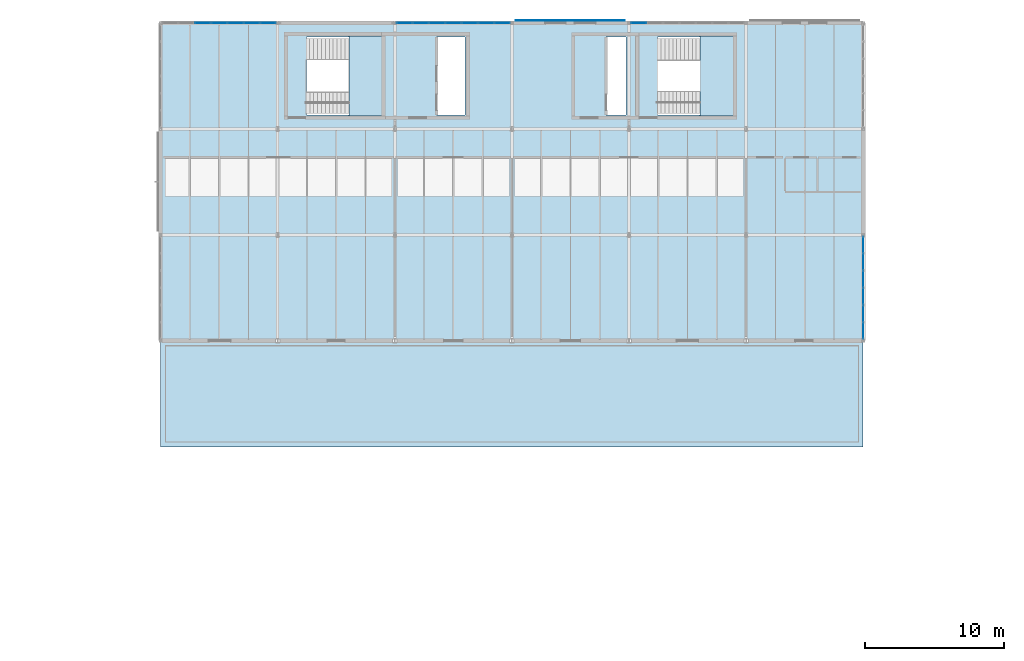
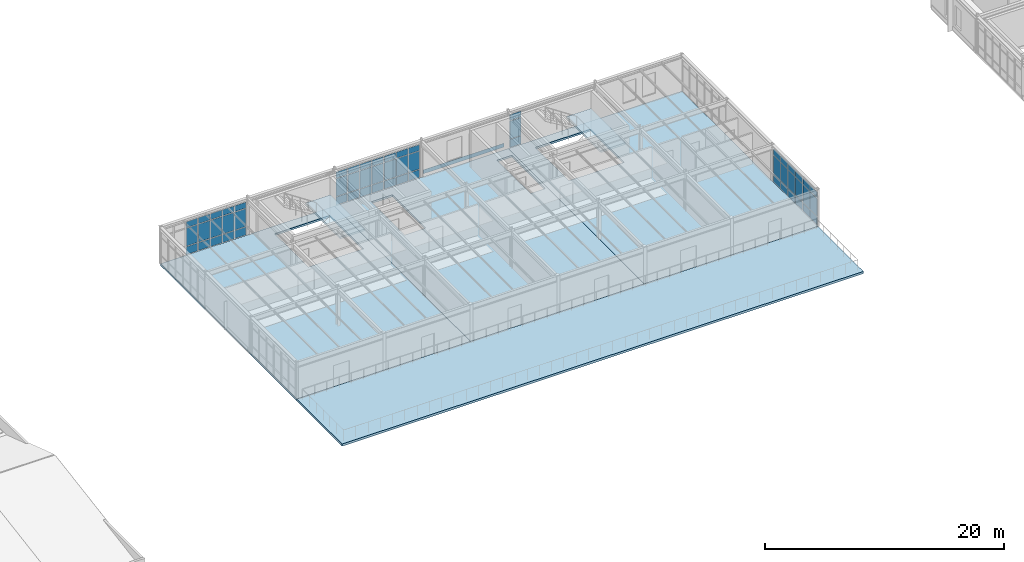
# One storey, part 42 of 65: 58 plates, 6 slabs, 6 elements without a shape of their own.
"""IFC4 building model written with IfcOpenShell, lengths in metres."""

import ifcopenshell
import ifcopenshell.guid

model = None  # the IFC model being written
_history = None  # IfcOwnerHistory: only IFC2X3 demands one
_inside = {}  # id of a spatial element -> (the spatial element, [elements in it])
_under = {}  # id of a project, library or spatial element -> (it, [spatial elements below it])
_declared = {}  # id of a project -> (the project, [libraries it declares])
_typed = {}  # id of a type object -> (the type object, [elements of that type])
_made_of = {}  # id of a material, layer set ... -> (it, [elements and type objects made of it])


def new_model(schema):
    """Start an empty IFC model of exactly this schema.

    Asked for "IFC4X3", IfcOpenShell would pick the latest addendum, in which some entities
    have other attributes; the version numbers below select the first issue.
    IFC2X3 requires an IfcOwnerHistory on every rooted entity: one is made here for all.
    """
    global model, _history
    if schema == "IFC4X3":
        model = ifcopenshell.file(schema_version=(4, 3, 0, 0))
    else:
        model = ifcopenshell.file(schema=schema)
    _inside.clear()
    _under.clear()
    _declared.clear()
    _typed.clear()
    _made_of.clear()
    _history = None
    if model.schema == "IFC2X3":
        org = make("IfcOrganization", Name="unknown")
        user = make(
            "IfcPersonAndOrganization",
            ThePerson=make("IfcPerson", FamilyName="unknown"),
            TheOrganization=org,
        )
        app = make(
            "IfcApplication",
            ApplicationDeveloper=org,
            Version="unknown",
            ApplicationFullName="unknown",
            ApplicationIdentifier="unknown",
        )
        _history = make(
            "IfcOwnerHistory",
            OwningUser=user,
            OwningApplication=app,
            ChangeAction="ADDED",
            CreationDate=0,
        )
    return model


def make(cls, **values):
    """One entity of the class cls with the attributes given. An attribute that is None is left unset."""
    return model.create_entity(
        cls, **{name: value for name, value in values.items() if value is not None}
    )


def rooted(cls, **values):
    """An entity with a GlobalId (a new one), such as an element, a storey or a relation."""
    return make(cls, GlobalId=ifcopenshell.guid.new(), OwnerHistory=_history, **values)


def si_unit(unit_type, name, prefix=None):
    """IfcSIUnit, for example si_unit("LENGTHUNIT", "METRE", prefix="MILLI")."""
    return make("IfcSIUnit", UnitType=unit_type, Prefix=prefix, Name=name)


def assignment(units):
    """IfcUnitAssignment: the units of a project."""
    return None if units is None else make("IfcUnitAssignment", Units=units)


def point(xyz):
    """IfcCartesianPoint."""
    return None if xyz is None else make("IfcCartesianPoint", Coordinates=xyz)


def direction(xyz):
    """IfcDirection."""
    return None if xyz is None else make("IfcDirection", DirectionRatios=xyz)


def frame(location, z_axis=None, x_axis=None):
    """IfcAxis2Placement3D, a coordinate frame: its origin and axes. An axis left out is left unset."""
    return make(
        "IfcAxis2Placement3D",
        Location=point(location),
        Axis=direction(z_axis),
        RefDirection=direction(x_axis),
    )


def frame_2d(location, x_axis=None):
    """IfcAxis2Placement2D, a coordinate frame in the plane: its origin and x axis."""
    return make(
        "IfcAxis2Placement2D", Location=point(location), RefDirection=direction(x_axis)
    )


def origin():
    """The frame at (0, 0, 0) with its axes left unset."""
    return frame((0.0, 0.0, 0.0))


def origin_2d():
    """The frame at (0, 0) in the plane with its x axis left unset."""
    return frame_2d((0.0, 0.0))


def place(relative_to, where):
    """IfcLocalPlacement: puts the frame where relative to a parent placement (None: the world)."""
    return make(
        "IfcLocalPlacement", PlacementRelTo=relative_to, RelativePlacement=where
    )


def context(
    kind, dimensions, precision=None, world=None, true_north=None, identifier=None
):
    """IfcGeometricRepresentationContext, for example the 3D "Model" context."""
    return make(
        "IfcGeometricRepresentationContext",
        ContextIdentifier=identifier,
        ContextType=kind,
        CoordinateSpaceDimension=dimensions,
        Precision=precision,
        WorldCoordinateSystem=world,
        TrueNorth=true_north,
    )


def subcontext(parent, identifier, kind, view, scale=None):
    """IfcGeometricRepresentationSubContext, for example "Body" below "Model"."""
    return make(
        "IfcGeometricRepresentationSubContext",
        ContextIdentifier=identifier,
        ContextType=kind,
        ParentContext=parent,
        TargetScale=scale,
        TargetView=view,
    )


def project(units=None, contexts=None):
    """IfcProject with its units and contexts."""
    return rooted(
        "IfcProject",
        Name="project",
        RepresentationContexts=contexts,
        UnitsInContext=assignment(units),
    )


def spatial(cls, under=None, at=None, **own):
    """A site, building, storey or space (cls), placed at a placement, below another one or the project."""
    s = rooted(cls, ObjectPlacement=at, **own)
    if under is not None:
        _under.setdefault(under.id(), (under, []))[1].append(s)
    return s


def polyline(points):
    """IfcPolyline through the points."""
    return make("IfcPolyline", Points=[point(p) for p in points])


def profile(cls, at=None, kind="AREA", **sizes):
    """A parametric profile (cls). Its sizes go by their IFC names, for example OverallWidth=200.0."""
    return make(cls, ProfileType=kind, Position=at, **sizes)


def rectangle(**sizes):
    """IfcRectangleProfileDef."""
    return profile("IfcRectangleProfileDef", **sizes)


def outline(outer, holes=None, kind="AREA"):
    """IfcArbitraryClosedProfileDef: a profile drawn as a closed curve; with holes, ...WithVoids."""
    if holes is None:
        return make("IfcArbitraryClosedProfileDef", ProfileType=kind, OuterCurve=outer)
    return make(
        "IfcArbitraryProfileDefWithVoids",
        ProfileType=kind,
        OuterCurve=outer,
        InnerCurves=holes,
    )


def extrude(swept, where, along, depth):
    """IfcExtrudedAreaSolid: the profile swept, set in the frame where, extruded along a direction by depth."""
    return make(
        "IfcExtrudedAreaSolid",
        SweptArea=swept,
        Position=where,
        ExtrudedDirection=direction(along),
        Depth=depth,
    )


def shape(context_of_items, identifier, shape_type, items):
    """IfcShapeRepresentation: the items that make up one representation, for example the "Body"."""
    return make(
        "IfcShapeRepresentation",
        ContextOfItems=context_of_items,
        RepresentationIdentifier=identifier,
        RepresentationType=shape_type,
        Items=items,
    )


def material(Name=None, Category=None):
    """IfcMaterial."""
    return make("IfcMaterial", Name=Name, Category=Category)


def layer(
    of_material, thickness, ventilated=None, Name=None, Category=None, Priority=None
):
    """IfcMaterialLayer: one layer of a wall or slab, of a material (None: an air gap)."""
    return make(
        "IfcMaterialLayer",
        Material=of_material,
        LayerThickness=thickness,
        IsVentilated=ventilated,
        Name=Name,
        Category=Category,
        Priority=Priority,
    )


def layer_set(layers, Name=None):
    """IfcMaterialLayerSet."""
    return make("IfcMaterialLayerSet", MaterialLayers=layers, LayerSetName=Name)


def made_of(thing, what):
    """Note that an element or type object is made of a material, layer set ...; save() writes the relation."""
    if what is not None:
        _made_of.setdefault(what.id(), (what, []))[1].append(thing)
    return thing


def type_object(cls, material=None, **own):
    """A type object (cls), such as IfcWallType, which elements share."""
    return made_of(rooted(cls, **own), material)


def element(
    cls,
    number,
    at=None,
    inside=None,
    cuts=None,
    type_object=None,
    material=None,
    context=None,
    identifier="Body",
    shape_type=None,
    held_by="IfcProductDefinitionShape",
    body=None,
    shapes=None,
    **own,
):
    """One element of the class cls, such as IfcWall. Its Tag is "e" and its number.

    at: its placement. inside: the storey or other place that contains it. cuts: it is an
    opening in that element (IfcRelVoidsElement). A single representation is given by context,
    identifier, shape_type and body (its items); several are given by shapes. held_by: the class
    of the entity that holds the representations. save() writes the other relations.
    """
    e = rooted(cls, Tag="e%d" % number, ObjectPlacement=at, **own)
    if body is not None:
        shapes = [shape(context, identifier, shape_type, body)]
    if shapes is not None:
        e.Representation = make(held_by, Representations=shapes)
    if inside is not None:
        _inside.setdefault(inside.id(), (inside, []))[1].append(e)
    if cuts is not None:
        rooted(
            "IfcRelVoidsElement", RelatingBuildingElement=cuts, RelatedOpeningElement=e
        )
    if type_object is not None:
        _typed.setdefault(type_object.id(), (type_object, []))[1].append(e)
    return made_of(e, material)


def aggregate(whole, parts):
    """IfcRelAggregates: a whole, such as a stair, and the parts it consists of."""
    return rooted("IfcRelAggregates", RelatingObject=whole, RelatedObjects=parts)


def save(model, path):
    """Write the relations noted so far, then the file.

    IfcRelAggregates (storeys below a building ...), IfcRelContainedInSpatialStructure (elements
    in a storey), IfcRelDefinesByType, IfcRelAssociatesMaterial and IfcRelDeclares: one each for
    every whole, place, type object, material and project.
    """
    for whole, parts in _under.values():
        aggregate(whole, parts)
    for where, things in _inside.values():
        rooted(
            "IfcRelContainedInSpatialStructure",
            RelatedElements=things,
            RelatingStructure=where,
        )
    for kind, things in _typed.values():
        rooted("IfcRelDefinesByType", RelatedObjects=things, RelatingType=kind)
    for what, things in _made_of.values():
        rooted("IfcRelAssociatesMaterial", RelatedObjects=things, RelatingMaterial=what)
    for by, libraries in _declared.values():
        rooted("IfcRelDeclares", RelatingContext=by, RelatedDefinitions=libraries)
    model.write(path)


model = new_model("IFC4")

# Units and contexts
model_context = context("Model", 3, precision=1e-05, world=origin(), true_north=direction((0.0, 1.0)))
body_context = subcontext(model_context, "Body", "Model", "MODEL_VIEW")
ifc_project = project(units=[si_unit("LENGTHUNIT", "METRE"), si_unit("AREAUNIT", "SQUARE_METRE"), si_unit("VOLUMEUNIT", "CUBIC_METRE"), si_unit("PLANEANGLEUNIT", "RADIAN"), si_unit("MASSUNIT", "GRAM", prefix="KILO")], contexts=[model_context])

# Site, building, storey
site_placement = place(None, origin())
site = spatial("IfcSite", under=ifc_project, at=site_placement, CompositionType="ELEMENT")
building_placement = place(site_placement, origin())
building = spatial("IfcBuilding", under=site, at=building_placement, Name="Montecoro Central Library", CompositionType="ELEMENT")
storey_placement = place(building_placement, frame((0.0, 0.0, 17.340087890625)))
storey = spatial("IfcBuildingStorey", under=building, at=storey_placement, Name="L04", CompositionType="ELEMENT", Elevation=17.340087890625)

# Curtain wall, plates
ifc_material_1 = material(Name="Bronze-anodised aluminium and low-E glazing", Category="aluminium")
ifc_layer_1 = layer(ifc_material_1, 0.159912109375)
ifc_layer_set_1 = layer_set([ifc_layer_1], Name="Bronze-anodised aluminium and low-E glazing")
curtain_wall_type_1 = type_object("IfcCurtainWallType", Name="CWT-021", PredefinedType="NOTDEFINED", material=ifc_layer_set_1)
curtain_wall_1_placement = place(storey_placement, origin())
curtain_wall_1 = element("IfcCurtainWall", 1, at=curtain_wall_1_placement, inside=storey, type_object=curtain_wall_type_1, Name="V2-L04-CW-E0", PredefinedType="NOTDEFINED")
ifc_material_2 = material(Name="Laminated low-E double glazing", Category="glass")
ifc_layer_2 = layer(ifc_material_2, 0.02587890625)
ifc_layer_set_2 = layer_set([ifc_layer_2], Name="Laminated low-E double glazing")
plate_type_1 = type_object("IfcPlateType", Name="CWP-GLZ-01", PredefinedType="CURTAIN_PANEL", material=ifc_layer_set_2)
plate_1_placement = place(storey_placement, frame((116.800048828125, 96.92578125, 0.059814453125), z_axis=(0.0, 0.0, 1.0), x_axis=(0.0, 1.0, 0.0)))
plate_1 = element("IfcPlate", 2, at=plate_1_placement, type_object=plate_type_1, Name="CW-021 panel 1.1", PredefinedType="CURTAIN_PANEL", context=body_context, shape_type="SweptSolid", body=[
    extrude(rectangle(XDim=1.145751953125, YDim=0.02587890625, at=origin_2d()), origin(), (0.0, 0.0, 1.0), 0.81005859375),
])
plate_2_placement = place(storey_placement, frame((116.800048828125, 96.92578125, 0.9296875), z_axis=(0.0, 0.0, 1.0), x_axis=(0.0, 1.0, 0.0)))
plate_2 = element("IfcPlate", 3, at=plate_2_placement, type_object=plate_type_1, Name="CW-021 panel 1.2", PredefinedType="CURTAIN_PANEL", context=body_context, shape_type="SweptSolid", body=[
    extrude(rectangle(XDim=1.145751953125, YDim=0.02587890625, at=origin_2d()), origin(), (0.0, 0.0, 1.0), 1.820068359375),
])
plate_3_placement = place(storey_placement, frame((116.800048828125, 96.92578125, 2.81005859375), z_axis=(0.0, 0.0, 1.0), x_axis=(0.0, 1.0, 0.0)))
plate_3 = element("IfcPlate", 4, at=plate_3_placement, type_object=plate_type_1, Name="CW-021 panel 1.3", PredefinedType="CURTAIN_PANEL", context=body_context, shape_type="SweptSolid", body=[
    extrude(rectangle(XDim=1.145751953125, YDim=0.02587890625, at=origin_2d()), origin(), (0.0, 0.0, 1.0), 0.610107421875),
])
plate_4_placement = place(storey_placement, frame((116.800048828125, 98.146484375, 0.059814453125), z_axis=(0.0, 0.0, 1.0), x_axis=(0.0, 1.0, 0.0)))
plate_4 = element("IfcPlate", 5, at=plate_4_placement, type_object=plate_type_1, Name="CW-021 panel 2.1", PredefinedType="CURTAIN_PANEL", context=body_context, shape_type="SweptSolid", body=[
    extrude(rectangle(XDim=1.17578125, YDim=0.02587890625, at=origin_2d()), origin(), (0.0, 0.0, 1.0), 0.81005859375),
])
plate_5_placement = place(storey_placement, frame((116.800048828125, 98.146484375, 0.9296875), z_axis=(0.0, 0.0, 1.0), x_axis=(0.0, 1.0, 0.0)))
plate_5 = element("IfcPlate", 6, at=plate_5_placement, type_object=plate_type_1, Name="CW-021 panel 2.2", PredefinedType="CURTAIN_PANEL", context=body_context, shape_type="SweptSolid", body=[
    extrude(rectangle(XDim=1.17578125, YDim=0.02587890625, at=origin_2d()), origin(), (0.0, 0.0, 1.0), 1.820068359375),
])
plate_6_placement = place(storey_placement, frame((116.800048828125, 98.146484375, 2.81005859375), z_axis=(0.0, 0.0, 1.0), x_axis=(0.0, 1.0, 0.0)))
plate_6 = element("IfcPlate", 7, at=plate_6_placement, type_object=plate_type_1, Name="CW-021 panel 2.3", PredefinedType="CURTAIN_PANEL", context=body_context, shape_type="SweptSolid", body=[
    extrude(rectangle(XDim=1.17578125, YDim=0.02587890625, at=origin_2d()), origin(), (0.0, 0.0, 1.0), 0.610107421875),
])
plate_7_placement = place(storey_placement, frame((116.800048828125, 99.382080078125, 0.059814453125), z_axis=(0.0, 0.0, 1.0), x_axis=(0.0, 1.0, 0.0)))
plate_7 = element("IfcPlate", 8, at=plate_7_placement, type_object=plate_type_1, Name="CW-021 panel 3.1", PredefinedType="CURTAIN_PANEL", context=body_context, shape_type="SweptSolid", body=[
    extrude(rectangle(XDim=1.17578125, YDim=0.02587890625, at=origin_2d()), origin(), (0.0, 0.0, 1.0), 0.81005859375),
])
plate_8_placement = place(storey_placement, frame((116.800048828125, 99.382080078125, 0.9296875), z_axis=(0.0, 0.0, 1.0), x_axis=(0.0, 1.0, 0.0)))
plate_8 = element("IfcPlate", 9, at=plate_8_placement, type_object=plate_type_1, Name="CW-021 panel 3.2", PredefinedType="CURTAIN_PANEL", context=body_context, shape_type="SweptSolid", body=[
    extrude(rectangle(XDim=1.17578125, YDim=0.02587890625, at=origin_2d()), origin(), (0.0, 0.0, 1.0), 1.820068359375),
])
plate_9_placement = place(storey_placement, frame((116.800048828125, 99.382080078125, 2.81005859375), z_axis=(0.0, 0.0, 1.0), x_axis=(0.0, 1.0, 0.0)))
plate_9 = element("IfcPlate", 10, at=plate_9_placement, type_object=plate_type_1, Name="CW-021 panel 3.3", PredefinedType="CURTAIN_PANEL", context=body_context, shape_type="SweptSolid", body=[
    extrude(rectangle(XDim=1.17578125, YDim=0.02587890625, at=origin_2d()), origin(), (0.0, 0.0, 1.0), 0.610107421875),
])
plate_10_placement = place(storey_placement, frame((116.800048828125, 100.617919921875, 0.059814453125), z_axis=(0.0, 0.0, 1.0), x_axis=(0.0, 1.0, 0.0)))
plate_10 = element("IfcPlate", 11, at=plate_10_placement, type_object=plate_type_1, Name="CW-021 panel 4.1", PredefinedType="CURTAIN_PANEL", context=body_context, shape_type="SweptSolid", body=[
    extrude(rectangle(XDim=1.17578125, YDim=0.02587890625, at=origin_2d()), origin(), (0.0, 0.0, 1.0), 0.81005859375),
])
plate_11_placement = place(storey_placement, frame((116.800048828125, 100.617919921875, 0.9296875), z_axis=(0.0, 0.0, 1.0), x_axis=(0.0, 1.0, 0.0)))
plate_11 = element("IfcPlate", 12, at=plate_11_placement, type_object=plate_type_1, Name="CW-021 panel 4.2", PredefinedType="CURTAIN_PANEL", context=body_context, shape_type="SweptSolid", body=[
    extrude(rectangle(XDim=1.17578125, YDim=0.02587890625, at=origin_2d()), origin(), (0.0, 0.0, 1.0), 1.820068359375),
])
plate_12_placement = place(storey_placement, frame((116.800048828125, 100.617919921875, 2.81005859375), z_axis=(0.0, 0.0, 1.0), x_axis=(0.0, 1.0, 0.0)))
plate_12 = element("IfcPlate", 13, at=plate_12_placement, type_object=plate_type_1, Name="CW-021 panel 4.3", PredefinedType="CURTAIN_PANEL", context=body_context, shape_type="SweptSolid", body=[
    extrude(rectangle(XDim=1.17578125, YDim=0.02587890625, at=origin_2d()), origin(), (0.0, 0.0, 1.0), 0.610107421875),
])
plate_13_placement = place(storey_placement, frame((116.800048828125, 101.853515625, 0.059814453125), z_axis=(0.0, 0.0, 1.0), x_axis=(0.0, 1.0, 0.0)))
plate_13 = element("IfcPlate", 14, at=plate_13_placement, type_object=plate_type_1, Name="CW-021 panel 5.1", PredefinedType="CURTAIN_PANEL", context=body_context, shape_type="SweptSolid", body=[
    extrude(rectangle(XDim=1.17578125, YDim=0.02587890625, at=origin_2d()), origin(), (0.0, 0.0, 1.0), 0.81005859375),
])
plate_14_placement = place(storey_placement, frame((116.800048828125, 101.853515625, 0.9296875), z_axis=(0.0, 0.0, 1.0), x_axis=(0.0, 1.0, 0.0)))
plate_14 = element("IfcPlate", 15, at=plate_14_placement, type_object=plate_type_1, Name="CW-021 panel 5.2", PredefinedType="CURTAIN_PANEL", context=body_context, shape_type="SweptSolid", body=[
    extrude(rectangle(XDim=1.17578125, YDim=0.02587890625, at=origin_2d()), origin(), (0.0, 0.0, 1.0), 1.820068359375),
])
plate_15_placement = place(storey_placement, frame((116.800048828125, 101.853515625, 2.81005859375), z_axis=(0.0, 0.0, 1.0), x_axis=(0.0, 1.0, 0.0)))
plate_15 = element("IfcPlate", 16, at=plate_15_placement, type_object=plate_type_1, Name="CW-021 panel 5.3", PredefinedType="CURTAIN_PANEL", context=body_context, shape_type="SweptSolid", body=[
    extrude(rectangle(XDim=1.17578125, YDim=0.02587890625, at=origin_2d()), origin(), (0.0, 0.0, 1.0), 0.610107421875),
])
plate_16_placement = place(storey_placement, frame((116.800048828125, 103.07421875, 0.059814453125), z_axis=(0.0, 0.0, 1.0), x_axis=(0.0, 1.0, 0.0)))
plate_16 = element("IfcPlate", 17, at=plate_16_placement, type_object=plate_type_1, Name="CW-021 panel 6.1", PredefinedType="CURTAIN_PANEL", context=body_context, shape_type="SweptSolid", body=[
    extrude(rectangle(XDim=1.145751953125, YDim=0.02587890625, at=origin_2d()), origin(), (0.0, 0.0, 1.0), 0.81005859375),
])
plate_17_placement = place(storey_placement, frame((116.800048828125, 103.07421875, 0.9296875), z_axis=(0.0, 0.0, 1.0), x_axis=(0.0, 1.0, 0.0)))
plate_17 = element("IfcPlate", 18, at=plate_17_placement, type_object=plate_type_1, Name="CW-021 panel 6.2", PredefinedType="CURTAIN_PANEL", context=body_context, shape_type="SweptSolid", body=[
    extrude(rectangle(XDim=1.145751953125, YDim=0.02587890625, at=origin_2d()), origin(), (0.0, 0.0, 1.0), 1.820068359375),
])
plate_18_placement = place(storey_placement, frame((116.800048828125, 103.07421875, 2.81005859375), z_axis=(0.0, 0.0, 1.0), x_axis=(0.0, 1.0, 0.0)))
plate_18 = element("IfcPlate", 19, at=plate_18_placement, type_object=plate_type_1, Name="CW-021 panel 6.3", PredefinedType="CURTAIN_PANEL", context=body_context, shape_type="SweptSolid", body=[
    extrude(rectangle(XDim=1.145751953125, YDim=0.02587890625, at=origin_2d()), origin(), (0.0, 0.0, 1.0), 0.610107421875),
])
aggregate(curtain_wall_1, [plate_1, plate_2, plate_3, plate_4, plate_5, plate_6, plate_7, plate_8, plate_9, plate_10, plate_11, plate_12, plate_13, plate_14, plate_15, plate_16, plate_17, plate_18])

ifc_layer_3 = layer(ifc_material_1, 0.159912109375)
ifc_layer_set_3 = layer_set([ifc_layer_3], Name="Bronze-anodised aluminium and low-E glazing")
curtain_wall_type_2 = type_object("IfcCurtainWallType", Name="CWT-022", PredefinedType="NOTDEFINED", material=ifc_layer_set_3)
curtain_wall_2_placement = place(storey_placement, origin())
curtain_wall_2 = element("IfcCurtainWall", 20, at=curtain_wall_2_placement, inside=storey, type_object=curtain_wall_type_2, Name="V2-L04-CW-N0", PredefinedType="NOTDEFINED")
plate_19_placement = place(storey_placement, frame((74.105224609375, 119.0, 0.059814453125), z_axis=(0.0, 0.0, 1.0), x_axis=(-1.0, 0.0, 0.0)))
plate_19 = element("IfcPlate", 21, at=plate_19_placement, type_object=plate_type_1, Name="CW-022 panel 1.1", PredefinedType="CURTAIN_PANEL", context=body_context, shape_type="SweptSolid", body=[
    extrude(rectangle(XDim=1.08349609375, YDim=0.02587890625, at=origin_2d()), origin(), (0.0, 0.0, 1.0), 0.81005859375),
])
plate_20_placement = place(storey_placement, frame((74.105224609375, 119.0, 0.9296875), z_axis=(0.0, 0.0, 1.0), x_axis=(-1.0, 0.0, 0.0)))
plate_20 = element("IfcPlate", 22, at=plate_20_placement, type_object=plate_type_1, Name="CW-022 panel 1.2", PredefinedType="CURTAIN_PANEL", context=body_context, shape_type="SweptSolid", body=[
    extrude(rectangle(XDim=1.08349609375, YDim=0.02587890625, at=origin_2d()), origin(), (0.0, 0.0, 1.0), 1.820068359375),
])
plate_21_placement = place(storey_placement, frame((74.105224609375, 119.0, 2.81005859375), z_axis=(0.0, 0.0, 1.0), x_axis=(-1.0, 0.0, 0.0)))
plate_21 = element("IfcPlate", 23, at=plate_21_placement, type_object=plate_type_1, Name="CW-022 panel 1.3", PredefinedType="CURTAIN_PANEL", context=body_context, shape_type="SweptSolid", body=[
    extrude(rectangle(XDim=1.08349609375, YDim=0.02587890625, at=origin_2d()), origin(), (0.0, 0.0, 1.0), 0.610107421875),
])
plate_22_placement = place(storey_placement, frame((72.94677734375, 119.0, 0.059814453125), z_axis=(0.0, 0.0, 1.0), x_axis=(-1.0, 0.0, 0.0)))
plate_22 = element("IfcPlate", 24, at=plate_22_placement, type_object=plate_type_1, Name="CW-022 panel 2.1", PredefinedType="CURTAIN_PANEL", context=body_context, shape_type="SweptSolid", body=[
    extrude(rectangle(XDim=1.113525390625, YDim=0.02587890625, at=origin_2d()), origin(), (0.0, 0.0, 1.0), 0.81005859375),
])
plate_23_placement = place(storey_placement, frame((72.94677734375, 119.0, 0.9296875), z_axis=(0.0, 0.0, 1.0), x_axis=(-1.0, 0.0, 0.0)))
plate_23 = element("IfcPlate", 25, at=plate_23_placement, type_object=plate_type_1, Name="CW-022 panel 2.2", PredefinedType="CURTAIN_PANEL", context=body_context, shape_type="SweptSolid", body=[
    extrude(rectangle(XDim=1.113525390625, YDim=0.02587890625, at=origin_2d()), origin(), (0.0, 0.0, 1.0), 1.820068359375),
])
plate_24_placement = place(storey_placement, frame((72.94677734375, 119.0, 2.81005859375), z_axis=(0.0, 0.0, 1.0), x_axis=(-1.0, 0.0, 0.0)))
plate_24 = element("IfcPlate", 26, at=plate_24_placement, type_object=plate_type_1, Name="CW-022 panel 2.3", PredefinedType="CURTAIN_PANEL", context=body_context, shape_type="SweptSolid", body=[
    extrude(rectangle(XDim=1.113525390625, YDim=0.02587890625, at=origin_2d()), origin(), (0.0, 0.0, 1.0), 0.610107421875),
])
plate_25_placement = place(storey_placement, frame((71.7734375, 119.0, 0.059814453125), z_axis=(0.0, 0.0, 1.0), x_axis=(-1.0, 0.0, 0.0)))
plate_25 = element("IfcPlate", 27, at=plate_25_placement, type_object=plate_type_1, Name="CW-022 panel 3.1", PredefinedType="CURTAIN_PANEL", context=body_context, shape_type="SweptSolid", body=[
    extrude(rectangle(XDim=1.113525390625, YDim=0.02587890625, at=origin_2d()), origin(), (0.0, 0.0, 1.0), 0.81005859375),
])
plate_26_placement = place(storey_placement, frame((71.7734375, 119.0, 0.9296875), z_axis=(0.0, 0.0, 1.0), x_axis=(-1.0, 0.0, 0.0)))
plate_26 = element("IfcPlate", 28, at=plate_26_placement, type_object=plate_type_1, Name="CW-022 panel 3.2", PredefinedType="CURTAIN_PANEL", context=body_context, shape_type="SweptSolid", body=[
    extrude(rectangle(XDim=1.113525390625, YDim=0.02587890625, at=origin_2d()), origin(), (0.0, 0.0, 1.0), 1.820068359375),
])
plate_27_placement = place(storey_placement, frame((71.7734375, 119.0, 2.81005859375), z_axis=(0.0, 0.0, 1.0), x_axis=(-1.0, 0.0, 0.0)))
plate_27 = element("IfcPlate", 29, at=plate_27_placement, type_object=plate_type_1, Name="CW-022 panel 3.3", PredefinedType="CURTAIN_PANEL", context=body_context, shape_type="SweptSolid", body=[
    extrude(rectangle(XDim=1.113525390625, YDim=0.02587890625, at=origin_2d()), origin(), (0.0, 0.0, 1.0), 0.610107421875),
])
plate_28_placement = place(storey_placement, frame((70.60009765625, 119.0, 0.059814453125), z_axis=(0.0, 0.0, 1.0), x_axis=(-1.0, 0.0, 0.0)))
plate_28 = element("IfcPlate", 30, at=plate_28_placement, type_object=plate_type_1, Name="CW-022 panel 4.1", PredefinedType="CURTAIN_PANEL", context=body_context, shape_type="SweptSolid", body=[
    extrude(rectangle(XDim=1.113525390625, YDim=0.02587890625, at=origin_2d()), origin(), (0.0, 0.0, 1.0), 0.81005859375),
])
plate_29_placement = place(storey_placement, frame((70.60009765625, 119.0, 0.9296875), z_axis=(0.0, 0.0, 1.0), x_axis=(-1.0, 0.0, 0.0)))
plate_29 = element("IfcPlate", 31, at=plate_29_placement, type_object=plate_type_1, Name="CW-022 panel 4.2", PredefinedType="CURTAIN_PANEL", context=body_context, shape_type="SweptSolid", body=[
    extrude(rectangle(XDim=1.113525390625, YDim=0.02587890625, at=origin_2d()), origin(), (0.0, 0.0, 1.0), 1.820068359375),
])
plate_30_placement = place(storey_placement, frame((70.60009765625, 119.0, 2.81005859375), z_axis=(0.0, 0.0, 1.0), x_axis=(-1.0, 0.0, 0.0)))
plate_30 = element("IfcPlate", 32, at=plate_30_placement, type_object=plate_type_1, Name="CW-022 panel 4.3", PredefinedType="CURTAIN_PANEL", context=body_context, shape_type="SweptSolid", body=[
    extrude(rectangle(XDim=1.113525390625, YDim=0.02587890625, at=origin_2d()), origin(), (0.0, 0.0, 1.0), 0.610107421875),
])
plate_31_placement = place(storey_placement, frame((69.426513671875, 119.0, 0.059814453125), z_axis=(0.0, 0.0, 1.0), x_axis=(-1.0, 0.0, 0.0)))
plate_31 = element("IfcPlate", 33, at=plate_31_placement, type_object=plate_type_1, Name="CW-022 panel 5.1", PredefinedType="CURTAIN_PANEL", context=body_context, shape_type="SweptSolid", body=[
    extrude(rectangle(XDim=1.113525390625, YDim=0.02587890625, at=origin_2d()), origin(), (0.0, 0.0, 1.0), 0.81005859375),
])
plate_32_placement = place(storey_placement, frame((69.426513671875, 119.0, 0.9296875), z_axis=(0.0, 0.0, 1.0), x_axis=(-1.0, 0.0, 0.0)))
plate_32 = element("IfcPlate", 34, at=plate_32_placement, type_object=plate_type_1, Name="CW-022 panel 5.2", PredefinedType="CURTAIN_PANEL", context=body_context, shape_type="SweptSolid", body=[
    extrude(rectangle(XDim=1.113525390625, YDim=0.02587890625, at=origin_2d()), origin(), (0.0, 0.0, 1.0), 1.820068359375),
])
plate_33_placement = place(storey_placement, frame((69.426513671875, 119.0, 2.81005859375), z_axis=(0.0, 0.0, 1.0), x_axis=(-1.0, 0.0, 0.0)))
plate_33 = element("IfcPlate", 35, at=plate_33_placement, type_object=plate_type_1, Name="CW-022 panel 5.3", PredefinedType="CURTAIN_PANEL", context=body_context, shape_type="SweptSolid", body=[
    extrude(rectangle(XDim=1.113525390625, YDim=0.02587890625, at=origin_2d()), origin(), (0.0, 0.0, 1.0), 0.610107421875),
])
aggregate(curtain_wall_2, [plate_19, plate_20, plate_21, plate_22, plate_23, plate_24, plate_25, plate_26, plate_27, plate_28, plate_29, plate_30, plate_31, plate_32, plate_33])

curtain_wall_3_placement = place(storey_placement, origin())
curtain_wall_3 = element("IfcCurtainWall", 36, at=curtain_wall_3_placement, inside=storey, type_object=curtain_wall_type_2, Name="V2-L04-CW-N2", PredefinedType="NOTDEFINED")
ifc_layer_4 = layer(ifc_material_2, 0.033935546875)
ifc_layer_set_4 = layer_set([ifc_layer_4], Name="Laminated low-E double glazing")
plate_type_2 = type_object("IfcPlateType", Name="CWP-GLZ-03", PredefinedType="CURTAIN_PANEL", material=ifc_layer_set_4)
plate_34_placement = place(storey_placement, frame((90.9052734375, 119.0, 0.059814453125), z_axis=(0.0, 0.0, 1.0), x_axis=(-1.0, 0.0, 0.0)))
plate_34 = element("IfcPlate", 37, at=plate_34_placement, type_object=plate_type_2, Name="CW-022 panel 1.1", PredefinedType="CURTAIN_PANEL", context=body_context, shape_type="SweptSolid", body=[
    extrude(rectangle(XDim=1.08349609375, YDim=0.033935546875, at=origin_2d()), origin(), (0.0, 0.0, 1.0), 0.81005859375),
])
plate_35_placement = place(storey_placement, frame((90.9052734375, 119.0, 0.9296875), z_axis=(0.0, 0.0, 1.0), x_axis=(-1.0, 0.0, 0.0)))
plate_35 = element("IfcPlate", 38, at=plate_35_placement, type_object=plate_type_2, Name="CW-022 panel 1.2", PredefinedType="CURTAIN_PANEL", context=body_context, shape_type="SweptSolid", body=[
    extrude(rectangle(XDim=1.08349609375, YDim=0.033935546875, at=origin_2d()), origin(), (0.0, 0.0, 1.0), 1.820068359375),
])
plate_36_placement = place(storey_placement, frame((90.9052734375, 119.0, 2.81005859375), z_axis=(0.0, 0.0, 1.0), x_axis=(-1.0, 0.0, 0.0)))
plate_36 = element("IfcPlate", 39, at=plate_36_placement, type_object=plate_type_2, Name="CW-022 panel 1.3", PredefinedType="CURTAIN_PANEL", context=body_context, shape_type="SweptSolid", body=[
    extrude(rectangle(XDim=1.08349609375, YDim=0.033935546875, at=origin_2d()), origin(), (0.0, 0.0, 1.0), 0.610107421875),
])
plate_37_placement = place(storey_placement, frame((89.746826171875, 119.0, 0.059814453125), z_axis=(0.0, 0.0, 1.0), x_axis=(-1.0, 0.0, 0.0)))
plate_37 = element("IfcPlate", 40, at=plate_37_placement, type_object=plate_type_2, Name="CW-022 panel 2.1", PredefinedType="CURTAIN_PANEL", context=body_context, shape_type="SweptSolid", body=[
    extrude(rectangle(XDim=1.113525390625, YDim=0.033935546875, at=origin_2d()), origin(), (0.0, 0.0, 1.0), 0.81005859375),
])
plate_38_placement = place(storey_placement, frame((89.746826171875, 119.0, 0.9296875), z_axis=(0.0, 0.0, 1.0), x_axis=(-1.0, 0.0, 0.0)))
plate_38 = element("IfcPlate", 41, at=plate_38_placement, type_object=plate_type_2, Name="CW-022 panel 2.2", PredefinedType="CURTAIN_PANEL", context=body_context, shape_type="SweptSolid", body=[
    extrude(rectangle(XDim=1.113525390625, YDim=0.033935546875, at=origin_2d()), origin(), (0.0, 0.0, 1.0), 1.820068359375),
])
plate_39_placement = place(storey_placement, frame((89.746826171875, 119.0, 2.81005859375), z_axis=(0.0, 0.0, 1.0), x_axis=(-1.0, 0.0, 0.0)))
plate_39 = element("IfcPlate", 42, at=plate_39_placement, type_object=plate_type_2, Name="CW-022 panel 2.3", PredefinedType="CURTAIN_PANEL", context=body_context, shape_type="SweptSolid", body=[
    extrude(rectangle(XDim=1.113525390625, YDim=0.033935546875, at=origin_2d()), origin(), (0.0, 0.0, 1.0), 0.610107421875),
])
plate_40_placement = place(storey_placement, frame((88.573486328125, 119.0, 0.059814453125), z_axis=(0.0, 0.0, 1.0), x_axis=(-1.0, 0.0, 0.0)))
plate_40 = element("IfcPlate", 43, at=plate_40_placement, type_object=plate_type_2, Name="CW-022 panel 3.1", PredefinedType="CURTAIN_PANEL", context=body_context, shape_type="SweptSolid", body=[
    extrude(rectangle(XDim=1.113525390625, YDim=0.033935546875, at=origin_2d()), origin(), (0.0, 0.0, 1.0), 0.81005859375),
])
plate_41_placement = place(storey_placement, frame((88.573486328125, 119.0, 0.9296875), z_axis=(0.0, 0.0, 1.0), x_axis=(-1.0, 0.0, 0.0)))
plate_41 = element("IfcPlate", 44, at=plate_41_placement, type_object=plate_type_2, Name="CW-022 panel 3.2", PredefinedType="CURTAIN_PANEL", context=body_context, shape_type="SweptSolid", body=[
    extrude(rectangle(XDim=1.113525390625, YDim=0.033935546875, at=origin_2d()), origin(), (0.0, 0.0, 1.0), 1.820068359375),
])
plate_42_placement = place(storey_placement, frame((88.573486328125, 119.0, 2.81005859375), z_axis=(0.0, 0.0, 1.0), x_axis=(-1.0, 0.0, 0.0)))
plate_42 = element("IfcPlate", 45, at=plate_42_placement, type_object=plate_type_2, Name="CW-022 panel 3.3", PredefinedType="CURTAIN_PANEL", context=body_context, shape_type="SweptSolid", body=[
    extrude(rectangle(XDim=1.113525390625, YDim=0.033935546875, at=origin_2d()), origin(), (0.0, 0.0, 1.0), 0.610107421875),
])
plate_43_placement = place(storey_placement, frame((87.39990234375, 119.0, 0.059814453125), z_axis=(0.0, 0.0, 1.0), x_axis=(-1.0, 0.0, 0.0)))
plate_43 = element("IfcPlate", 46, at=plate_43_placement, type_object=plate_type_2, Name="CW-022 panel 4.1", PredefinedType="CURTAIN_PANEL", context=body_context, shape_type="SweptSolid", body=[
    extrude(rectangle(XDim=1.113525390625, YDim=0.033935546875, at=origin_2d()), origin(), (0.0, 0.0, 1.0), 0.81005859375),
])
plate_44_placement = place(storey_placement, frame((87.39990234375, 119.0, 0.9296875), z_axis=(0.0, 0.0, 1.0), x_axis=(-1.0, 0.0, 0.0)))
plate_44 = element("IfcPlate", 47, at=plate_44_placement, type_object=plate_type_2, Name="CW-022 panel 4.2", PredefinedType="CURTAIN_PANEL", context=body_context, shape_type="SweptSolid", body=[
    extrude(rectangle(XDim=1.113525390625, YDim=0.033935546875, at=origin_2d()), origin(), (0.0, 0.0, 1.0), 1.820068359375),
])
plate_45_placement = place(storey_placement, frame((87.39990234375, 119.0, 2.81005859375), z_axis=(0.0, 0.0, 1.0), x_axis=(-1.0, 0.0, 0.0)))
plate_45 = element("IfcPlate", 48, at=plate_45_placement, type_object=plate_type_2, Name="CW-022 panel 4.3", PredefinedType="CURTAIN_PANEL", context=body_context, shape_type="SweptSolid", body=[
    extrude(rectangle(XDim=1.113525390625, YDim=0.033935546875, at=origin_2d()), origin(), (0.0, 0.0, 1.0), 0.610107421875),
])
plate_46_placement = place(storey_placement, frame((86.2265625, 119.0, 0.059814453125), z_axis=(0.0, 0.0, 1.0), x_axis=(-1.0, 0.0, 0.0)))
plate_46 = element("IfcPlate", 49, at=plate_46_placement, type_object=plate_type_2, Name="CW-022 panel 5.1", PredefinedType="CURTAIN_PANEL", context=body_context, shape_type="SweptSolid", body=[
    extrude(rectangle(XDim=1.113525390625, YDim=0.033935546875, at=origin_2d()), origin(), (0.0, 0.0, 1.0), 0.81005859375),
])
plate_47_placement = place(storey_placement, frame((86.2265625, 119.0, 0.9296875), z_axis=(0.0, 0.0, 1.0), x_axis=(-1.0, 0.0, 0.0)))
plate_47 = element("IfcPlate", 50, at=plate_47_placement, type_object=plate_type_2, Name="CW-022 panel 5.2", PredefinedType="CURTAIN_PANEL", context=body_context, shape_type="SweptSolid", body=[
    extrude(rectangle(XDim=1.113525390625, YDim=0.033935546875, at=origin_2d()), origin(), (0.0, 0.0, 1.0), 1.820068359375),
])
plate_48_placement = place(storey_placement, frame((86.2265625, 119.0, 2.81005859375), z_axis=(0.0, 0.0, 1.0), x_axis=(-1.0, 0.0, 0.0)))
plate_48 = element("IfcPlate", 51, at=plate_48_placement, type_object=plate_type_2, Name="CW-022 panel 5.3", PredefinedType="CURTAIN_PANEL", context=body_context, shape_type="SweptSolid", body=[
    extrude(rectangle(XDim=1.113525390625, YDim=0.033935546875, at=origin_2d()), origin(), (0.0, 0.0, 1.0), 0.610107421875),
])
plate_49_placement = place(storey_placement, frame((85.05322265625, 119.0, 0.059814453125), z_axis=(0.0, 0.0, 1.0), x_axis=(-1.0, 0.0, 0.0)))
plate_49 = element("IfcPlate", 52, at=plate_49_placement, type_object=plate_type_2, Name="CW-022 panel 6.1", PredefinedType="CURTAIN_PANEL", context=body_context, shape_type="SweptSolid", body=[
    extrude(rectangle(XDim=1.113525390625, YDim=0.033935546875, at=origin_2d()), origin(), (0.0, 0.0, 1.0), 0.81005859375),
])
plate_50_placement = place(storey_placement, frame((85.05322265625, 119.0, 0.9296875), z_axis=(0.0, 0.0, 1.0), x_axis=(-1.0, 0.0, 0.0)))
plate_50 = element("IfcPlate", 53, at=plate_50_placement, type_object=plate_type_2, Name="CW-022 panel 6.2", PredefinedType="CURTAIN_PANEL", context=body_context, shape_type="SweptSolid", body=[
    extrude(rectangle(XDim=1.113525390625, YDim=0.033935546875, at=origin_2d()), origin(), (0.0, 0.0, 1.0), 1.820068359375),
])
plate_51_placement = place(storey_placement, frame((85.05322265625, 119.0, 2.81005859375), z_axis=(0.0, 0.0, 1.0), x_axis=(-1.0, 0.0, 0.0)))
plate_51 = element("IfcPlate", 54, at=plate_51_placement, type_object=plate_type_2, Name="CW-022 panel 6.3", PredefinedType="CURTAIN_PANEL", context=body_context, shape_type="SweptSolid", body=[
    extrude(rectangle(XDim=1.113525390625, YDim=0.033935546875, at=origin_2d()), origin(), (0.0, 0.0, 1.0), 0.610107421875),
])
plate_52_placement = place(storey_placement, frame((83.894775390625, 119.0, 0.059814453125), z_axis=(0.0, 0.0, 1.0), x_axis=(-1.0, 0.0, 0.0)))
plate_52 = element("IfcPlate", 55, at=plate_52_placement, type_object=plate_type_2, Name="CW-022 panel 7.1", PredefinedType="CURTAIN_PANEL", context=body_context, shape_type="SweptSolid", body=[
    extrude(rectangle(XDim=1.08349609375, YDim=0.033935546875, at=origin_2d()), origin(), (0.0, 0.0, 1.0), 0.81005859375),
])
plate_53_placement = place(storey_placement, frame((83.894775390625, 119.0, 0.9296875), z_axis=(0.0, 0.0, 1.0), x_axis=(-1.0, 0.0, 0.0)))
plate_53 = element("IfcPlate", 56, at=plate_53_placement, type_object=plate_type_2, Name="CW-022 panel 7.2", PredefinedType="CURTAIN_PANEL", context=body_context, shape_type="SweptSolid", body=[
    extrude(rectangle(XDim=1.08349609375, YDim=0.033935546875, at=origin_2d()), origin(), (0.0, 0.0, 1.0), 1.820068359375),
])
plate_54_placement = place(storey_placement, frame((83.894775390625, 119.0, 2.81005859375), z_axis=(0.0, 0.0, 1.0), x_axis=(-1.0, 0.0, 0.0)))
plate_54 = element("IfcPlate", 57, at=plate_54_placement, type_object=plate_type_2, Name="CW-022 panel 7.3", PredefinedType="CURTAIN_PANEL", context=body_context, shape_type="SweptSolid", body=[
    extrude(rectangle(XDim=1.08349609375, YDim=0.033935546875, at=origin_2d()), origin(), (0.0, 0.0, 1.0), 0.610107421875),
])
aggregate(curtain_wall_3, [plate_34, plate_35, plate_36, plate_37, plate_38, plate_39, plate_40, plate_41, plate_42, plate_43, plate_44, plate_45, plate_46, plate_47, plate_48, plate_49, plate_50, plate_51, plate_52, plate_53, plate_54])

curtain_wall_4_placement = place(storey_placement, origin())
curtain_wall_4 = element("IfcCurtainWall", 58, at=curtain_wall_4_placement, inside=storey, type_object=curtain_wall_type_2, Name="V2-L04-CW-N4", PredefinedType="NOTDEFINED")
ifc_layer_5 = layer(ifc_material_2, 0.0419921875)
ifc_layer_set_5 = layer_set([ifc_layer_5], Name="Laminated low-E double glazing")
plate_type_3 = type_object("IfcPlateType", Name="CWP-GLZ-05", PredefinedType="CURTAIN_PANEL", material=ifc_layer_set_5)
plate_55_placement = place(storey_placement, frame((100.69482421875, 119.0, 0.059814453125), z_axis=(0.0, 0.0, 1.0), x_axis=(-1.0, 0.0, 0.0)))
plate_55 = element("IfcPlate", 59, at=plate_55_placement, type_object=plate_type_3, Name="CW-022 panel 7.1", PredefinedType="CURTAIN_PANEL", context=body_context, shape_type="SweptSolid", body=[
    extrude(rectangle(XDim=1.08349609375, YDim=0.0419921875, at=origin_2d()), origin(), (0.0, 0.0, 1.0), 0.81005859375),
])
plate_56_placement = place(storey_placement, frame((100.69482421875, 119.0, 0.9296875), z_axis=(0.0, 0.0, 1.0), x_axis=(-1.0, 0.0, 0.0)))
plate_56 = element("IfcPlate", 60, at=plate_56_placement, type_object=plate_type_3, Name="CW-022 panel 7.2", PredefinedType="CURTAIN_PANEL", context=body_context, shape_type="SweptSolid", body=[
    extrude(rectangle(XDim=1.08349609375, YDim=0.0419921875, at=origin_2d()), origin(), (0.0, 0.0, 1.0), 1.820068359375),
])
plate_57_placement = place(storey_placement, frame((100.69482421875, 119.0, 2.81005859375), z_axis=(0.0, 0.0, 1.0), x_axis=(-1.0, 0.0, 0.0)))
plate_57 = element("IfcPlate", 61, at=plate_57_placement, type_object=plate_type_3, Name="CW-022 panel 7.3", PredefinedType="CURTAIN_PANEL", context=body_context, shape_type="SweptSolid", body=[
    extrude(rectangle(XDim=1.08349609375, YDim=0.0419921875, at=origin_2d()), origin(), (0.0, 0.0, 1.0), 0.610107421875),
])
aggregate(curtain_wall_4, [plate_55, plate_56, plate_57])

# Plate
ifc_material_3 = material(Name="Architectural bronze spandrel plate", Category="aluminium")
ifc_layer_6 = layer(ifc_material_3, 0.02197265625)
ifc_layer_set_6 = layer_set([ifc_layer_6], Name="Architectural bronze spandrel plate")
plate_type_4 = type_object("IfcPlateType", Name="PLT-SPN-01", PredefinedType="SHEET", material=ifc_layer_set_6)
plate_58_placement = place(storey_placement, frame((95.800048828125, 119.166015625, 0.159912109375), z_axis=(0.0, 0.0, 1.0), x_axis=(-1.0, 0.0, 0.0)))
element("IfcPlate", 62, at=plate_58_placement, inside=storey, type_object=plate_type_4, Name="V2-L04-SPN-N3", PredefinedType="SHEET", context=body_context, shape_type="SweptSolid", body=[
    extrude(rectangle(XDim=7.81396484375, YDim=0.02197265625, at=origin_2d()), origin(), (0.0, 0.0, 1.0), 0.39990234375),
])

# Slabs
ifc_material_4 = material(Name="Concrete C32/40", Category="concrete")
ifc_layer_7 = layer(ifc_material_4, 0.195068359375)
ifc_layer_set_7 = layer_set([ifc_layer_7], Name="Concrete C32/40")
slab_type_1 = type_object("IfcSlabType", Name="SL-FLR-195", PredefinedType="FLOOR", material=ifc_layer_set_7)
slab_1_placement = place(storey_placement, frame((0.0, 0.0, -0.195068359375)))
element("IfcSlab", 63, at=slab_1_placement, inside=storey, type_object=slab_type_1, Name="V2-L04-SL1", PredefinedType="FLOOR", context=body_context, shape_type="SweptSolid", body=[
    extrude(outline(polyline([(66.39990234375, 96.199951171875), (83.199951171875, 96.199951171875), (83.199951171875, 119.0), (66.39990234375, 119.0), (66.39990234375, 96.199951171875)]), holes=[polyline([(76.860107421875, 118.0), (82.199951171875, 118.0), (82.199951171875, 112.39990234375), (76.860107421875, 112.39990234375), (76.860107421875, 118.0)])]), origin(), (0.0, 0.0, 1.0), 0.195068359375),
])
slab_2_placement = place(storey_placement, frame((0.0, 0.0, -0.195068359375)))
element("IfcSlab", 64, at=slab_2_placement, inside=storey, type_object=slab_type_1, Name="V2-L04-SL2", PredefinedType="FLOOR", context=body_context, shape_type="SweptSolid", body=[
    extrude(outline(polyline([(83.199951171875, 96.199951171875), (100.0, 96.199951171875), (100.0, 119.0), (83.199951171875, 119.0), (83.199951171875, 96.199951171875)]), holes=[polyline([(86.199951171875, 118.0), (88.25, 118.0), (88.25, 112.39990234375), (86.199951171875, 112.39990234375), (86.199951171875, 118.0)]), polyline([(98.35009765625, 118.0), (99.780029296875, 118.0), (99.780029296875, 112.39990234375), (98.35009765625, 112.39990234375), (98.35009765625, 118.0)])]), origin(), (0.0, 0.0, 1.0), 0.195068359375),
])
slab_3_placement = place(storey_placement, frame((0.0, 0.0, -0.195068359375)))
element("IfcSlab", 65, at=slab_3_placement, inside=storey, type_object=slab_type_1, Name="V2-L04-SL3", PredefinedType="FLOOR", context=body_context, shape_type="SweptSolid", body=[
    extrude(outline(polyline([(100.0, 96.199951171875), (116.800048828125, 96.199951171875), (116.800048828125, 119.0), (100.0, 119.0), (100.0, 96.199951171875)]), holes=[polyline([(102.06005859375, 118.0), (107.39990234375, 118.0), (107.39990234375, 112.39990234375), (102.06005859375, 112.39990234375), (102.06005859375, 118.0)])]), origin(), (0.0, 0.0, 1.0), 0.195068359375),
])

# Stair, slab
ifc_material_5 = material(Name="Concrete C35/45", Category="concrete")
stair_type_1 = type_object("IfcStairType", Name="STR-RET-155", PredefinedType="HALF_TURN_STAIR", material=ifc_material_5)
stair_1_placement = place(storey_placement, origin())
stair_1 = element("IfcStair", 66, at=stair_1_placement, inside=storey, type_object=stair_type_1, Name="C2-L04-STR", PredefinedType="HALF_TURN_STAIR")
ifc_layer_8 = layer(ifc_material_5, 0.199951171875)
ifc_layer_set_8 = layer_set([ifc_layer_8], Name="Concrete C35/45")
slab_type_2 = type_object("IfcSlabType", Name="SL-LND-200", PredefinedType="LANDING", material=ifc_layer_set_8)
slab_4_placement = place(storey_placement, frame((0.0, 0.0, 1.83984375)))
slab_4 = element("IfcSlab", 67, at=slab_4_placement, type_object=slab_type_2, Name="ST-02 landing 1", PredefinedType="LANDING", context=body_context, shape_type="SweptSolid", body=[
    extrude(outline(polyline([(79.89990234375, 112.320068359375), (82.280029296875, 112.320068359375), (82.280029296875, 118.080078125), (79.89990234375, 118.080078125), (79.89990234375, 112.320068359375)])), origin(), (0.0, 0.0, 1.0), 0.199951171875),
])
aggregate(stair_1, [slab_4])

stair_type_2 = type_object("IfcStairType", Name="STR-RET-160", PredefinedType="HALF_TURN_STAIR", material=ifc_material_5)
stair_2_placement = place(storey_placement, origin())
stair_2 = element("IfcStair", 68, at=stair_2_placement, inside=storey, type_object=stair_type_2, Name="C3-L04-STR", PredefinedType="HALF_TURN_STAIR")
slab_5_placement = place(storey_placement, frame((0.0, 0.0, 1.83984375)))
slab_5 = element("IfcSlab", 69, at=slab_5_placement, type_object=slab_type_2, Name="ST-03 landing 1", PredefinedType="LANDING", context=body_context, shape_type="SweptSolid", body=[
    extrude(outline(polyline([(105.10009765625, 112.320068359375), (107.47998046875, 112.320068359375), (107.47998046875, 118.080078125), (105.10009765625, 118.080078125), (105.10009765625, 112.320068359375)])), origin(), (0.0, 0.0, 1.0), 0.199951171875),
])
aggregate(stair_2, [slab_5])

# Slab
ifc_material_6 = material(Name="Planted garden concrete C32/40", Category="concrete")
ifc_layer_9 = layer(ifc_material_6, 0.22998046875)
ifc_layer_set_9 = layer_set([ifc_layer_9], Name="Planted garden concrete C32/40")
slab_type_3 = type_object("IfcSlabType", Name="SL-TER-230", PredefinedType="FLOOR", material=ifc_layer_set_9)
slab_6_placement = place(storey_placement, frame((0.0, 0.0, -0.22998046875)))
element("IfcSlab", 70, at=slab_6_placement, inside=storey, type_object=slab_type_3, Name="South Court Upper Reading Terrace", PredefinedType="FLOOR", context=body_context, shape_type="SweptSolid", body=[
    extrude(outline(polyline([(66.39990234375, 88.60009765625), (116.800048828125, 88.60009765625), (116.800048828125, 96.199951171875), (66.39990234375, 96.199951171875), (66.39990234375, 88.60009765625)])), origin(), (0.0, 0.0, 1.0), 0.22998046875),
])

save(model, "model.ifc")
